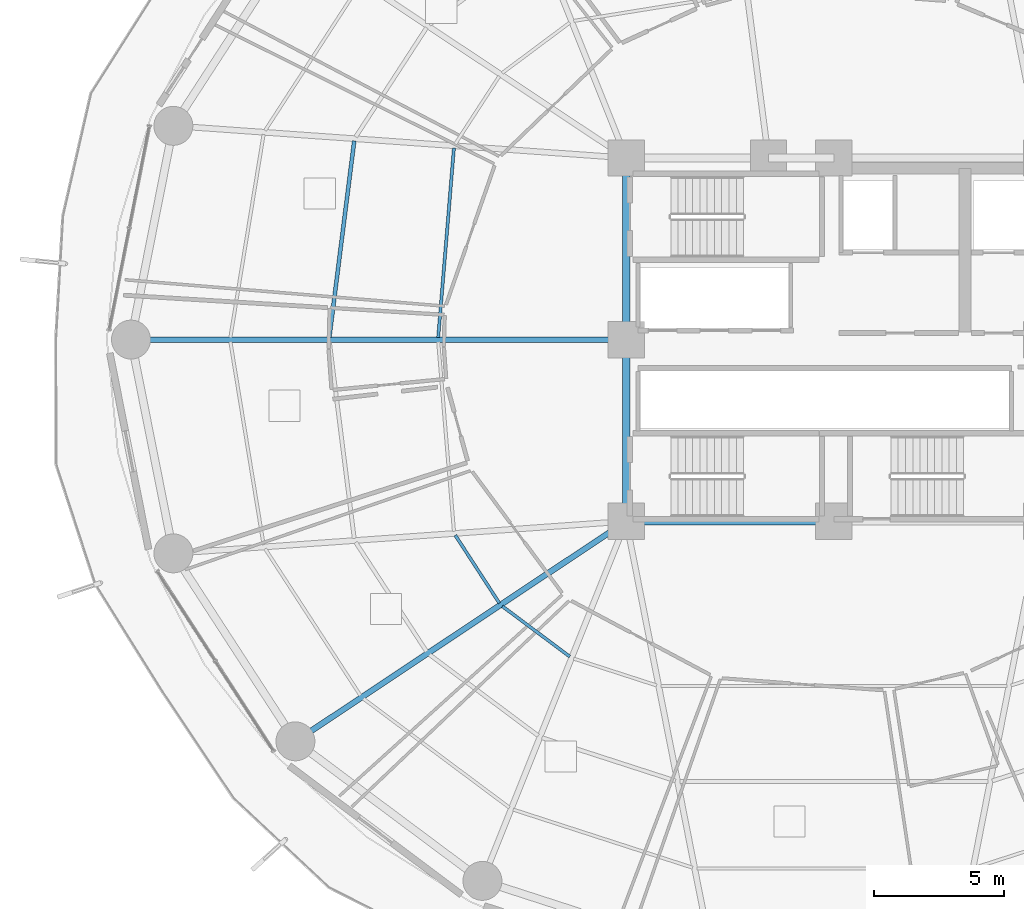
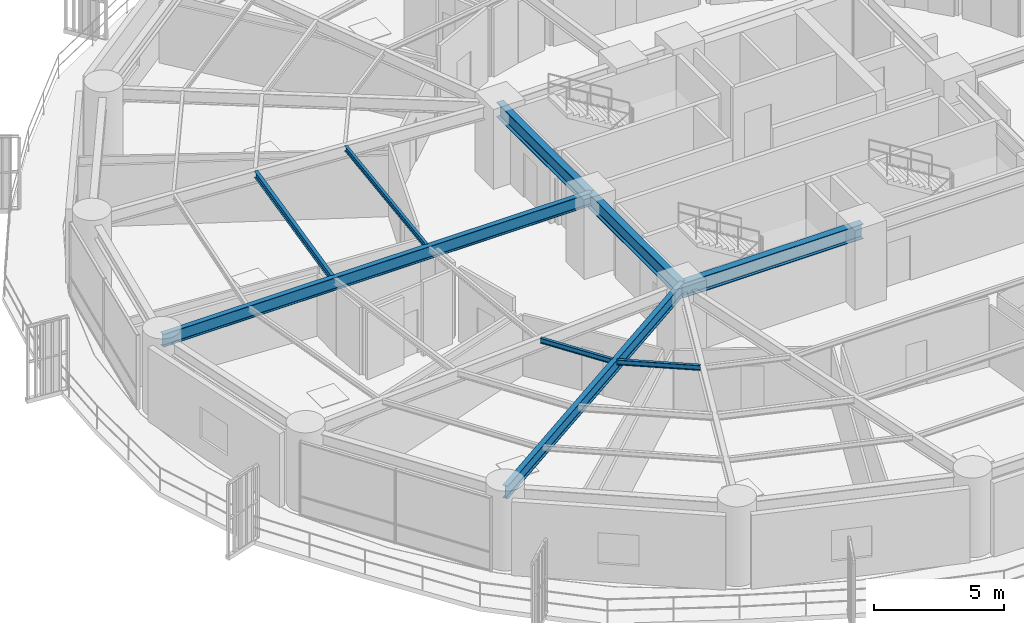
# One storey, part 7 of 32: 9 beams.
"""IFC4 building model written with IfcOpenShell, lengths in metres."""

import ifcopenshell
import ifcopenshell.guid

model = None  # the IFC model being written
_history = None  # IfcOwnerHistory: only IFC2X3 demands one
_inside = {}  # id of a spatial element -> (the spatial element, [elements in it])
_under = {}  # id of a project, library or spatial element -> (it, [spatial elements below it])
_declared = {}  # id of a project -> (the project, [libraries it declares])
_typed = {}  # id of a type object -> (the type object, [elements of that type])
_made_of = {}  # id of a material, layer set ... -> (it, [elements and type objects made of it])


def new_model(schema):
    """Start an empty IFC model of exactly this schema.

    Asked for "IFC4X3", IfcOpenShell would pick the latest addendum, in which some entities
    have other attributes; the version numbers below select the first issue.
    IFC2X3 requires an IfcOwnerHistory on every rooted entity: one is made here for all.
    """
    global model, _history
    if schema == "IFC4X3":
        model = ifcopenshell.file(schema_version=(4, 3, 0, 0))
    else:
        model = ifcopenshell.file(schema=schema)
    _inside.clear()
    _under.clear()
    _declared.clear()
    _typed.clear()
    _made_of.clear()
    _history = None
    if model.schema == "IFC2X3":
        org = make("IfcOrganization", Name="unknown")
        user = make(
            "IfcPersonAndOrganization",
            ThePerson=make("IfcPerson", FamilyName="unknown"),
            TheOrganization=org,
        )
        app = make(
            "IfcApplication",
            ApplicationDeveloper=org,
            Version="unknown",
            ApplicationFullName="unknown",
            ApplicationIdentifier="unknown",
        )
        _history = make(
            "IfcOwnerHistory",
            OwningUser=user,
            OwningApplication=app,
            ChangeAction="ADDED",
            CreationDate=0,
        )
    return model


def make(cls, **values):
    """One entity of the class cls with the attributes given. An attribute that is None is left unset."""
    return model.create_entity(
        cls, **{name: value for name, value in values.items() if value is not None}
    )


def rooted(cls, **values):
    """An entity with a GlobalId (a new one), such as an element, a storey or a relation."""
    return make(cls, GlobalId=ifcopenshell.guid.new(), OwnerHistory=_history, **values)


def si_unit(unit_type, name, prefix=None):
    """IfcSIUnit, for example si_unit("LENGTHUNIT", "METRE", prefix="MILLI")."""
    return make("IfcSIUnit", UnitType=unit_type, Prefix=prefix, Name=name)


def assignment(units):
    """IfcUnitAssignment: the units of a project."""
    return None if units is None else make("IfcUnitAssignment", Units=units)


def point(xyz):
    """IfcCartesianPoint."""
    return None if xyz is None else make("IfcCartesianPoint", Coordinates=xyz)


def direction(xyz):
    """IfcDirection."""
    return None if xyz is None else make("IfcDirection", DirectionRatios=xyz)


def frame(location, z_axis=None, x_axis=None):
    """IfcAxis2Placement3D, a coordinate frame: its origin and axes. An axis left out is left unset."""
    return make(
        "IfcAxis2Placement3D",
        Location=point(location),
        Axis=direction(z_axis),
        RefDirection=direction(x_axis),
    )


def frame_2d(location, x_axis=None):
    """IfcAxis2Placement2D, a coordinate frame in the plane: its origin and x axis."""
    return make(
        "IfcAxis2Placement2D", Location=point(location), RefDirection=direction(x_axis)
    )


def origin():
    """The frame at (0, 0, 0) with its axes left unset."""
    return frame((0.0, 0.0, 0.0))


def origin_2d():
    """The frame at (0, 0) in the plane with its x axis left unset."""
    return frame_2d((0.0, 0.0))


def place(relative_to, where):
    """IfcLocalPlacement: puts the frame where relative to a parent placement (None: the world)."""
    return make(
        "IfcLocalPlacement", PlacementRelTo=relative_to, RelativePlacement=where
    )


def context(
    kind, dimensions, precision=None, world=None, true_north=None, identifier=None
):
    """IfcGeometricRepresentationContext, for example the 3D "Model" context."""
    return make(
        "IfcGeometricRepresentationContext",
        ContextIdentifier=identifier,
        ContextType=kind,
        CoordinateSpaceDimension=dimensions,
        Precision=precision,
        WorldCoordinateSystem=world,
        TrueNorth=true_north,
    )


def subcontext(parent, identifier, kind, view, scale=None):
    """IfcGeometricRepresentationSubContext, for example "Body" below "Model"."""
    return make(
        "IfcGeometricRepresentationSubContext",
        ContextIdentifier=identifier,
        ContextType=kind,
        ParentContext=parent,
        TargetScale=scale,
        TargetView=view,
    )


def project(units=None, contexts=None):
    """IfcProject with its units and contexts."""
    return rooted(
        "IfcProject",
        Name="project",
        RepresentationContexts=contexts,
        UnitsInContext=assignment(units),
    )


def spatial(cls, under=None, at=None, **own):
    """A site, building, storey or space (cls), placed at a placement, below another one or the project."""
    s = rooted(cls, ObjectPlacement=at, **own)
    if under is not None:
        _under.setdefault(under.id(), (under, []))[1].append(s)
    return s


def profile(cls, at=None, kind="AREA", **sizes):
    """A parametric profile (cls). Its sizes go by their IFC names, for example OverallWidth=200.0."""
    return make(cls, ProfileType=kind, Position=at, **sizes)


def i_section(**sizes):
    """IfcIShapeProfileDef."""
    return profile("IfcIShapeProfileDef", **sizes)


def extrude(swept, where, along, depth):
    """IfcExtrudedAreaSolid: the profile swept, set in the frame where, extruded along a direction by depth."""
    return make(
        "IfcExtrudedAreaSolid",
        SweptArea=swept,
        Position=where,
        ExtrudedDirection=direction(along),
        Depth=depth,
    )


def shape(context_of_items, identifier, shape_type, items):
    """IfcShapeRepresentation: the items that make up one representation, for example the "Body"."""
    return make(
        "IfcShapeRepresentation",
        ContextOfItems=context_of_items,
        RepresentationIdentifier=identifier,
        RepresentationType=shape_type,
        Items=items,
    )


def material(Name=None, Category=None):
    """IfcMaterial."""
    return make("IfcMaterial", Name=Name, Category=Category)


def material_profile(
    of_material, cross_section, Name=None, Category=None, Priority=None
):
    """IfcMaterialProfile: a cross section and its material."""
    return make(
        "IfcMaterialProfile",
        Name=Name,
        Material=of_material,
        Profile=cross_section,
        Priority=Priority,
        Category=Category,
    )


def profile_set(profiles, Name=None, composite=None):
    """IfcMaterialProfileSet."""
    return make(
        "IfcMaterialProfileSet",
        Name=Name,
        MaterialProfiles=profiles,
        CompositeProfile=composite,
    )


def made_of(thing, what):
    """Note that an element or type object is made of a material, layer set ...; save() writes the relation."""
    if what is not None:
        _made_of.setdefault(what.id(), (what, []))[1].append(thing)
    return thing


def type_object(cls, material=None, **own):
    """A type object (cls), such as IfcWallType, which elements share."""
    return made_of(rooted(cls, **own), material)


def element(
    cls,
    number,
    at=None,
    inside=None,
    cuts=None,
    type_object=None,
    material=None,
    context=None,
    identifier="Body",
    shape_type=None,
    held_by="IfcProductDefinitionShape",
    body=None,
    shapes=None,
    **own,
):
    """One element of the class cls, such as IfcWall. Its Tag is "e" and its number.

    at: its placement. inside: the storey or other place that contains it. cuts: it is an
    opening in that element (IfcRelVoidsElement). A single representation is given by context,
    identifier, shape_type and body (its items); several are given by shapes. held_by: the class
    of the entity that holds the representations. save() writes the other relations.
    """
    e = rooted(cls, Tag="e%d" % number, ObjectPlacement=at, **own)
    if body is not None:
        shapes = [shape(context, identifier, shape_type, body)]
    if shapes is not None:
        e.Representation = make(held_by, Representations=shapes)
    if inside is not None:
        _inside.setdefault(inside.id(), (inside, []))[1].append(e)
    if cuts is not None:
        rooted(
            "IfcRelVoidsElement", RelatingBuildingElement=cuts, RelatedOpeningElement=e
        )
    if type_object is not None:
        _typed.setdefault(type_object.id(), (type_object, []))[1].append(e)
    return made_of(e, material)


def aggregate(whole, parts):
    """IfcRelAggregates: a whole, such as a stair, and the parts it consists of."""
    return rooted("IfcRelAggregates", RelatingObject=whole, RelatedObjects=parts)


def save(model, path):
    """Write the relations noted so far, then the file.

    IfcRelAggregates (storeys below a building ...), IfcRelContainedInSpatialStructure (elements
    in a storey), IfcRelDefinesByType, IfcRelAssociatesMaterial and IfcRelDeclares: one each for
    every whole, place, type object, material and project.
    """
    for whole, parts in _under.values():
        aggregate(whole, parts)
    for where, things in _inside.values():
        rooted(
            "IfcRelContainedInSpatialStructure",
            RelatedElements=things,
            RelatingStructure=where,
        )
    for kind, things in _typed.values():
        rooted("IfcRelDefinesByType", RelatedObjects=things, RelatingType=kind)
    for what, things in _made_of.values():
        rooted("IfcRelAssociatesMaterial", RelatedObjects=things, RelatingMaterial=what)
    for by, libraries in _declared.values():
        rooted("IfcRelDeclares", RelatingContext=by, RelatedDefinitions=libraries)
    model.write(path)


model = new_model("IFC4")

# Units and contexts
model_context = context("Model", 3, precision=1e-05, world=origin(), true_north=direction((0.0, 1.0)))
body_context = subcontext(model_context, "Body", "Model", "MODEL_VIEW")
ifc_project = project(units=[si_unit("LENGTHUNIT", "METRE"), si_unit("AREAUNIT", "SQUARE_METRE"), si_unit("VOLUMEUNIT", "CUBIC_METRE"), si_unit("PLANEANGLEUNIT", "RADIAN"), si_unit("MASSUNIT", "GRAM", prefix="KILO")], contexts=[model_context])

# Site, building, storey
site_placement = place(None, origin())
site = spatial("IfcSite", under=ifc_project, at=site_placement, CompositionType="ELEMENT")
building_placement = place(site_placement, origin())
building = spatial("IfcBuilding", under=site, at=building_placement, Name="Kelanora Arch Commons", CompositionType="ELEMENT")
storey_placement = place(building_placement, frame((0.0, 0.0, 56.25)))
storey = spatial("IfcBuildingStorey", under=building, at=storey_placement, Name="L14", CompositionType="ELEMENT", Elevation=56.25)

# Beams
ifc_material = material(Name="Steel S355", Category="steel")
ifc_material_profile_1 = material_profile(ifc_material, i_section(OverallWidth=0.300048828125, OverallDepth=0.699951171875, WebThickness=0.01708984375, FlangeThickness=0.031982421875, FilletRadius=0.027099609375, at=origin_2d()), Name="HEB700")
ifc_profile_set_1 = profile_set([ifc_material_profile_1], Name="Steel S355")
beam_type_1 = type_object("IfcBeamType", Name="BM-CORE-HDR", PredefinedType="BEAM", material=ifc_profile_set_1)
beam_1_placement = place(storey_placement, frame((66.0, 51.0, 3.139892578125), z_axis=(1.0, 0.0, 0.0), x_axis=(0.0, 1.0, 0.0)))
element("IfcBeam", 1, at=beam_1_placement, inside=storey, type_object=beam_type_1, Name="Core Header Beam 01 L14", PredefinedType="BEAM", context=body_context, shape_type="SweptSolid", body=[
    extrude(i_section(OverallWidth=0.300048828125, OverallDepth=0.699951171875, WebThickness=0.01708984375, FlangeThickness=0.031982421875, FilletRadius=0.027099609375, at=origin_2d()), origin(), (0.0, 0.0, 1.0), 8.0),
])
for number, where, z_axis, x_axis, name in (
    (2, (66.0, 65.0, 3.139892578125), (0.0, -1.0, 0.0), (1.0, 0.0, 0.0), "Core Header Beam 08 L14"),
    (3, (66.0, 58.0, 3.139892578125), (0.0, -1.0, 0.0), (1.0, 0.0, 0.0), "Core Header Beam 09 L14"),
):
    element("IfcBeam", number, at=place(storey_placement, frame(where, z_axis=z_axis, x_axis=x_axis)), inside=storey, type_object=beam_type_1, Name=name, PredefinedType="BEAM", context=body_context, shape_type="SweptSolid", body=[
        extrude(i_section(OverallWidth=0.300048828125, OverallDepth=0.699951171875, WebThickness=0.01708984375, FlangeThickness=0.031982421875, FilletRadius=0.027099609375, at=origin_2d()), origin(), (0.0, 0.0, 1.0), 7.0),
    ])
ifc_material_profile_2 = material_profile(ifc_material, i_section(OverallWidth=0.14990234375, OverallDepth=0.300048828125, WebThickness=0.007080078125, FlangeThickness=0.0107421875, FilletRadius=0.014892578125, at=origin_2d()), Name="IPE300")
ifc_profile_set_2 = profile_set([ifc_material_profile_2], Name="Steel S355")
beam_type_2 = type_object("IfcBeamType", Name="BM-JST-01", PredefinedType="JOIST", material=ifc_profile_set_2)
beam_2_placement = place(storey_placement, frame((55.521240234375, 65.6572265625, 3.340087890625), z_axis=(-0.125565841651, -0.992085288375, 0.0), x_axis=(0.992085288375, -0.125565841651, 0.0)))
element("IfcBeam", 4, at=beam_2_placement, inside=storey, type_object=beam_type_2, Name="Secondary Chord Joist BJB-16 L14", PredefinedType="JOIST", context=body_context, shape_type="SweptSolid", body=[
    extrude(i_section(OverallWidth=0.14990234375, OverallDepth=0.300048828125, WebThickness=0.007080078125, FlangeThickness=0.0107421875, FilletRadius=0.014892578125, at=origin_2d()), origin(), (0.0, 0.0, 1.0), 7.63330078125),
])
ifc_material_profile_3 = material_profile(ifc_material, i_section(OverallWidth=0.1201171875, OverallDepth=0.239990234375, WebThickness=0.006103515625, FlangeThickness=0.009765625, FilletRadius=0.014892578125, at=origin_2d()), Name="IPE240")
ifc_profile_set_3 = profile_set([ifc_material_profile_3], Name="Steel S355")
beam_type_3 = type_object("IfcBeamType", Name="BM-JST-02", PredefinedType="JOIST", material=ifc_profile_set_3)
beam_3_placement = place(storey_placement, frame((59.363037109375, 65.385009765625, 3.3701171875), z_axis=(-0.082786209886, -0.996567330115, 0.0), x_axis=(0.996567330115, -0.082786209886, 0.0)))
element("IfcBeam", 5, at=beam_3_placement, inside=storey, type_object=beam_type_3, Name="Secondary Chord Joist BJA-16 L14", PredefinedType="JOIST", context=body_context, shape_type="SweptSolid", body=[
    extrude(i_section(OverallWidth=0.1201171875, OverallDepth=0.239990234375, WebThickness=0.006103515625, FlangeThickness=0.009765625, FilletRadius=0.014892578125, at=origin_2d()), origin(), (0.0, 0.0, 1.0), 7.325439453125),
])
beam_4_placement = place(storey_placement, frame((59.41650390625, 50.458984375, 3.3701171875), z_axis=(0.544591105858, -0.838701691557, 0.0), x_axis=(0.838701691557, 0.544591105858, 0.0)))
element("IfcBeam", 6, at=beam_4_placement, inside=storey, type_object=beam_type_3, Name="Secondary Chord Joist BJA-20 L14", PredefinedType="JOIST", context=body_context, shape_type="SweptSolid", body=[
    extrude(i_section(OverallWidth=0.1201171875, OverallDepth=0.239990234375, WebThickness=0.006103515625, FlangeThickness=0.009765625, FilletRadius=0.014892578125, at=origin_2d()), origin(), (0.0, 0.0, 1.0), 3.111328125),
])
beam_5_placement = place(storey_placement, frame((61.22509765625, 47.727294921875, 3.3701171875), z_axis=(0.801513822608, -0.59797624716, 0.0), x_axis=(0.59797624716, 0.801513822608, 0.0)))
element("IfcBeam", 7, at=beam_5_placement, inside=storey, type_object=beam_type_3, Name="Secondary Chord Joist BJA-22 L14", PredefinedType="JOIST", context=body_context, shape_type="SweptSolid", body=[
    extrude(i_section(OverallWidth=0.1201171875, OverallDepth=0.239990234375, WebThickness=0.006103515625, FlangeThickness=0.009765625, FilletRadius=0.014892578125, at=origin_2d()), origin(), (0.0, 0.0, 1.0), 3.245849609375),
])
ifc_material_profile_4 = material_profile(ifc_material, i_section(OverallWidth=0.219970703125, OverallDepth=0.60009765625, WebThickness=0.011962890625, FlangeThickness=0.01904296875, FilletRadius=0.02392578125, at=origin_2d()), Name="IPE600")
ifc_profile_set_4 = profile_set([ifc_material_profile_4], Name="Steel S355")
beam_type_4 = type_object("IfcBeamType", Name="BM-RAD-Z1", PredefinedType="BEAM", material=ifc_profile_set_4)
beam_6_placement = place(storey_placement, frame((66.0, 58.0, 3.18994140625), z_axis=(-1.0, 0.0, 0.0), x_axis=(0.0, -1.0, 0.0)))
element("IfcBeam", 8, at=beam_6_placement, inside=storey, type_object=beam_type_4, Name="Radial Floor Girder BR-18 L14", PredefinedType="BEAM", context=body_context, shape_type="SweptSolid", body=[
    extrude(i_section(OverallWidth=0.219970703125, OverallDepth=0.60009765625, WebThickness=0.011962890625, FlangeThickness=0.01904296875, FilletRadius=0.02392578125, at=origin_2d()), origin(), (0.0, 0.0, 1.0), 19.080078125),
])
beam_7_placement = place(storey_placement, frame((66.0, 51.0, 3.18994140625), z_axis=(-0.832592187754, -0.553886494591, 0.0), x_axis=(0.553886494591, -0.832592187754, 0.0)))
element("IfcBeam", 9, at=beam_7_placement, inside=storey, type_object=beam_type_4, Name="Radial Floor Girder BR-22 L14", PredefinedType="BEAM", context=body_context, shape_type="SweptSolid", body=[
    extrude(i_section(OverallWidth=0.219970703125, OverallDepth=0.60009765625, WebThickness=0.011962890625, FlangeThickness=0.01904296875, FilletRadius=0.02392578125, at=origin_2d()), origin(), (0.0, 0.0, 1.0), 15.306884765625),
])

save(model, "model.ifc")
